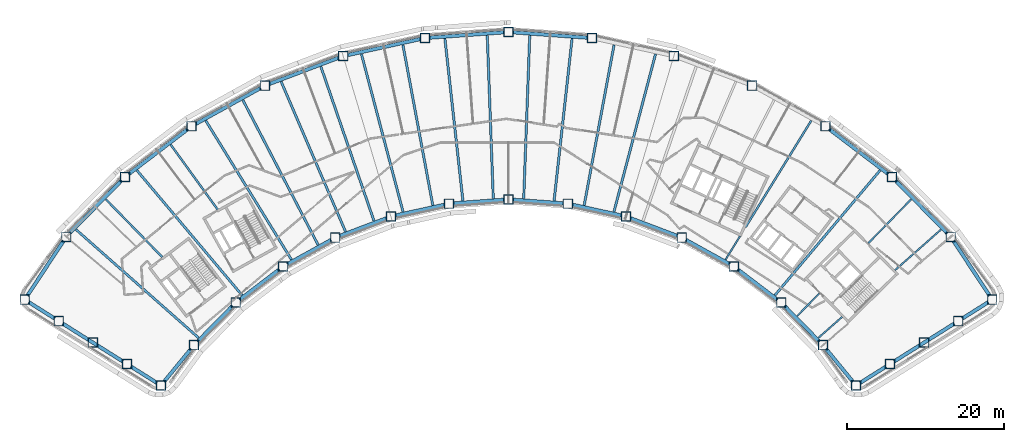
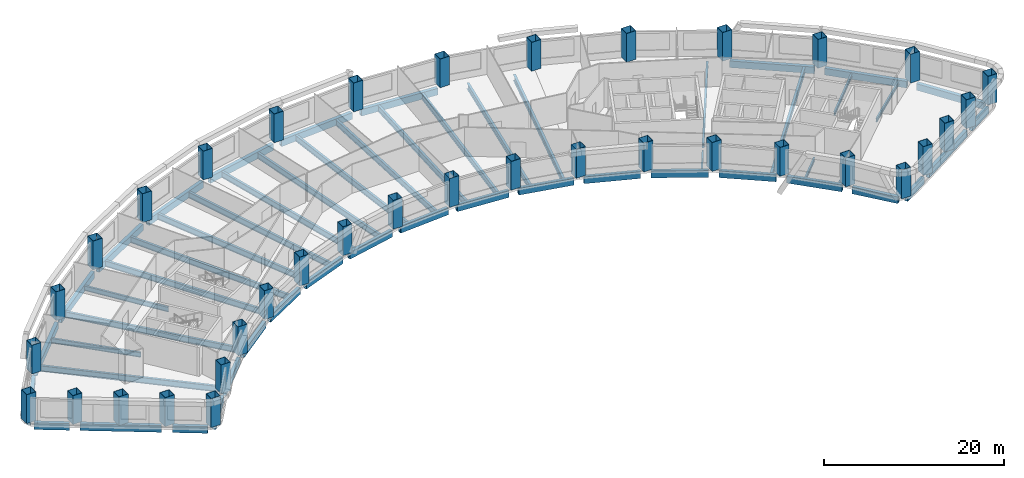
# One storey, part 1 of 11: 54 beams, 36 columns.
"""IFC4 building model written with IfcOpenShell, lengths in metres."""

import ifcopenshell
import ifcopenshell.guid

model = None  # the IFC model being written
_history = None  # IfcOwnerHistory: only IFC2X3 demands one
_inside = {}  # id of a spatial element -> (the spatial element, [elements in it])
_under = {}  # id of a project, library or spatial element -> (it, [spatial elements below it])
_declared = {}  # id of a project -> (the project, [libraries it declares])
_typed = {}  # id of a type object -> (the type object, [elements of that type])
_made_of = {}  # id of a material, layer set ... -> (it, [elements and type objects made of it])


def new_model(schema):
    """Start an empty IFC model of exactly this schema.

    Asked for "IFC4X3", IfcOpenShell would pick the latest addendum, in which some entities
    have other attributes; the version numbers below select the first issue.
    IFC2X3 requires an IfcOwnerHistory on every rooted entity: one is made here for all.
    """
    global model, _history
    if schema == "IFC4X3":
        model = ifcopenshell.file(schema_version=(4, 3, 0, 0))
    else:
        model = ifcopenshell.file(schema=schema)
    _inside.clear()
    _under.clear()
    _declared.clear()
    _typed.clear()
    _made_of.clear()
    _history = None
    if model.schema == "IFC2X3":
        org = make("IfcOrganization", Name="unknown")
        user = make(
            "IfcPersonAndOrganization",
            ThePerson=make("IfcPerson", FamilyName="unknown"),
            TheOrganization=org,
        )
        app = make(
            "IfcApplication",
            ApplicationDeveloper=org,
            Version="unknown",
            ApplicationFullName="unknown",
            ApplicationIdentifier="unknown",
        )
        _history = make(
            "IfcOwnerHistory",
            OwningUser=user,
            OwningApplication=app,
            ChangeAction="ADDED",
            CreationDate=0,
        )
    return model


def make(cls, **values):
    """One entity of the class cls with the attributes given. An attribute that is None is left unset."""
    return model.create_entity(
        cls, **{name: value for name, value in values.items() if value is not None}
    )


def rooted(cls, **values):
    """An entity with a GlobalId (a new one), such as an element, a storey or a relation."""
    return make(cls, GlobalId=ifcopenshell.guid.new(), OwnerHistory=_history, **values)


def si_unit(unit_type, name, prefix=None):
    """IfcSIUnit, for example si_unit("LENGTHUNIT", "METRE", prefix="MILLI")."""
    return make("IfcSIUnit", UnitType=unit_type, Prefix=prefix, Name=name)


def assignment(units):
    """IfcUnitAssignment: the units of a project."""
    return None if units is None else make("IfcUnitAssignment", Units=units)


def point(xyz):
    """IfcCartesianPoint."""
    return None if xyz is None else make("IfcCartesianPoint", Coordinates=xyz)


def direction(xyz):
    """IfcDirection."""
    return None if xyz is None else make("IfcDirection", DirectionRatios=xyz)


def frame(location, z_axis=None, x_axis=None):
    """IfcAxis2Placement3D, a coordinate frame: its origin and axes. An axis left out is left unset."""
    return make(
        "IfcAxis2Placement3D",
        Location=point(location),
        Axis=direction(z_axis),
        RefDirection=direction(x_axis),
    )


def frame_2d(location, x_axis=None):
    """IfcAxis2Placement2D, a coordinate frame in the plane: its origin and x axis."""
    return make(
        "IfcAxis2Placement2D", Location=point(location), RefDirection=direction(x_axis)
    )


def origin():
    """The frame at (0, 0, 0) with its axes left unset."""
    return frame((0.0, 0.0, 0.0))


def origin_2d():
    """The frame at (0, 0) in the plane with its x axis left unset."""
    return frame_2d((0.0, 0.0))


def place(relative_to, where):
    """IfcLocalPlacement: puts the frame where relative to a parent placement (None: the world)."""
    return make(
        "IfcLocalPlacement", PlacementRelTo=relative_to, RelativePlacement=where
    )


def context(
    kind, dimensions, precision=None, world=None, true_north=None, identifier=None
):
    """IfcGeometricRepresentationContext, for example the 3D "Model" context."""
    return make(
        "IfcGeometricRepresentationContext",
        ContextIdentifier=identifier,
        ContextType=kind,
        CoordinateSpaceDimension=dimensions,
        Precision=precision,
        WorldCoordinateSystem=world,
        TrueNorth=true_north,
    )


def subcontext(parent, identifier, kind, view, scale=None):
    """IfcGeometricRepresentationSubContext, for example "Body" below "Model"."""
    return make(
        "IfcGeometricRepresentationSubContext",
        ContextIdentifier=identifier,
        ContextType=kind,
        ParentContext=parent,
        TargetScale=scale,
        TargetView=view,
    )


def project(units=None, contexts=None):
    """IfcProject with its units and contexts."""
    return rooted(
        "IfcProject",
        Name="project",
        RepresentationContexts=contexts,
        UnitsInContext=assignment(units),
    )


def spatial(cls, under=None, at=None, **own):
    """A site, building, storey or space (cls), placed at a placement, below another one or the project."""
    s = rooted(cls, ObjectPlacement=at, **own)
    if under is not None:
        _under.setdefault(under.id(), (under, []))[1].append(s)
    return s


def profile(cls, at=None, kind="AREA", **sizes):
    """A parametric profile (cls). Its sizes go by their IFC names, for example OverallWidth=200.0."""
    return make(cls, ProfileType=kind, Position=at, **sizes)


def hollow_rectangle(**sizes):
    """IfcRectangleHollowProfileDef."""
    return profile("IfcRectangleHollowProfileDef", **sizes)


def i_section(**sizes):
    """IfcIShapeProfileDef."""
    return profile("IfcIShapeProfileDef", **sizes)


def extrude(swept, where, along, depth):
    """IfcExtrudedAreaSolid: the profile swept, set in the frame where, extruded along a direction by depth."""
    return make(
        "IfcExtrudedAreaSolid",
        SweptArea=swept,
        Position=where,
        ExtrudedDirection=direction(along),
        Depth=depth,
    )


def shape(context_of_items, identifier, shape_type, items):
    """IfcShapeRepresentation: the items that make up one representation, for example the "Body"."""
    return make(
        "IfcShapeRepresentation",
        ContextOfItems=context_of_items,
        RepresentationIdentifier=identifier,
        RepresentationType=shape_type,
        Items=items,
    )


def material(Name=None, Category=None):
    """IfcMaterial."""
    return make("IfcMaterial", Name=Name, Category=Category)


def material_profile(
    of_material, cross_section, Name=None, Category=None, Priority=None
):
    """IfcMaterialProfile: a cross section and its material."""
    return make(
        "IfcMaterialProfile",
        Name=Name,
        Material=of_material,
        Profile=cross_section,
        Priority=Priority,
        Category=Category,
    )


def profile_set(profiles, Name=None, composite=None):
    """IfcMaterialProfileSet."""
    return make(
        "IfcMaterialProfileSet",
        Name=Name,
        MaterialProfiles=profiles,
        CompositeProfile=composite,
    )


def made_of(thing, what):
    """Note that an element or type object is made of a material, layer set ...; save() writes the relation."""
    if what is not None:
        _made_of.setdefault(what.id(), (what, []))[1].append(thing)
    return thing


def type_object(cls, material=None, **own):
    """A type object (cls), such as IfcWallType, which elements share."""
    return made_of(rooted(cls, **own), material)


def element(
    cls,
    number,
    at=None,
    inside=None,
    cuts=None,
    type_object=None,
    material=None,
    context=None,
    identifier="Body",
    shape_type=None,
    held_by="IfcProductDefinitionShape",
    body=None,
    shapes=None,
    **own,
):
    """One element of the class cls, such as IfcWall. Its Tag is "e" and its number.

    at: its placement. inside: the storey or other place that contains it. cuts: it is an
    opening in that element (IfcRelVoidsElement). A single representation is given by context,
    identifier, shape_type and body (its items); several are given by shapes. held_by: the class
    of the entity that holds the representations. save() writes the other relations.
    """
    e = rooted(cls, Tag="e%d" % number, ObjectPlacement=at, **own)
    if body is not None:
        shapes = [shape(context, identifier, shape_type, body)]
    if shapes is not None:
        e.Representation = make(held_by, Representations=shapes)
    if inside is not None:
        _inside.setdefault(inside.id(), (inside, []))[1].append(e)
    if cuts is not None:
        rooted(
            "IfcRelVoidsElement", RelatingBuildingElement=cuts, RelatedOpeningElement=e
        )
    if type_object is not None:
        _typed.setdefault(type_object.id(), (type_object, []))[1].append(e)
    return made_of(e, material)


def aggregate(whole, parts):
    """IfcRelAggregates: a whole, such as a stair, and the parts it consists of."""
    return rooted("IfcRelAggregates", RelatingObject=whole, RelatedObjects=parts)


def save(model, path):
    """Write the relations noted so far, then the file.

    IfcRelAggregates (storeys below a building ...), IfcRelContainedInSpatialStructure (elements
    in a storey), IfcRelDefinesByType, IfcRelAssociatesMaterial and IfcRelDeclares: one each for
    every whole, place, type object, material and project.
    """
    for whole, parts in _under.values():
        aggregate(whole, parts)
    for where, things in _inside.values():
        rooted(
            "IfcRelContainedInSpatialStructure",
            RelatedElements=things,
            RelatingStructure=where,
        )
    for kind, things in _typed.values():
        rooted("IfcRelDefinesByType", RelatedObjects=things, RelatingType=kind)
    for what, things in _made_of.values():
        rooted("IfcRelAssociatesMaterial", RelatedObjects=things, RelatingMaterial=what)
    for by, libraries in _declared.values():
        rooted("IfcRelDeclares", RelatingContext=by, RelatedDefinitions=libraries)
    model.write(path)


model = new_model("IFC4")

# Units and contexts
model_context = context("Model", 3, precision=1e-05, world=origin(), true_north=direction((0.0, 1.0)))
body_context = subcontext(model_context, "Body", "Model", "MODEL_VIEW")
ifc_project = project(units=[si_unit("LENGTHUNIT", "METRE"), si_unit("AREAUNIT", "SQUARE_METRE"), si_unit("VOLUMEUNIT", "CUBIC_METRE"), si_unit("PLANEANGLEUNIT", "RADIAN"), si_unit("MASSUNIT", "GRAM", prefix="KILO")], contexts=[model_context])

# Site, building, storey
site_placement = place(None, origin())
site = spatial("IfcSite", under=ifc_project, at=site_placement, CompositionType="ELEMENT")
building_placement = place(site_placement, origin())
building = spatial("IfcBuilding", under=site, at=building_placement, Name="Tuul Gate Civic Tower", CompositionType="ELEMENT")
storey_placement = place(building_placement, frame((0.0, 0.0, 69.60009765625)))
storey = spatial("IfcBuildingStorey", under=building, at=storey_placement, Name="Level 15", CompositionType="ELEMENT", Elevation=69.60009765625)

# Columns
ifc_material_1 = material(Name="Steel S355", Category="steel")
ifc_material_profile_1 = material_profile(ifc_material_1, hollow_rectangle(XDim=1.199951171875, YDim=1.199951171875, WallThickness=0.0400390625, at=origin_2d()), Name="BOX1200x1200x40")
ifc_profile_set_1 = profile_set([ifc_material_profile_1], Name="Steel S355")
column_type = type_object("IfcColumnType", Name="STR-COLUMN-BOX1200x1200x40", PredefinedType="COLUMN", material=ifc_profile_set_1)
for number, where, z_axis, x_axis, name in (
    (1, (66.47900390625, -15.4208984375, 0.0), (0.0, 0.0, 1.0), (1.0, 0.0, 0.0), "Column"),
    (2, (61.179931640625, -7.408935546875, 0.0), (0.0, 0.0, 1.0), (1.0, 0.0, 0.0), "Column"),
    (3, (53.7060546875, 0.216064453125, 0.0), (0.0, 0.0, 1.0), (1.0, 0.0, 0.0), "Column"),
    (4, (45.2109375, 6.68408203125, 0.0), (0.0, 0.0, 1.0), (1.0, 0.0, 0.0), "Column"),
    (5, (35.8720703125, 11.861083984375, 0.0), (0.0, 0.0, 1.0), (1.0, 0.0, 0.0), "Column"),
    (6, (25.885009765625, 15.636962890625, 0.0), (0.0, 0.0, 1.0), (1.0, 0.0, 0.0), "Column"),
    (7, (15.4580078125, 17.93505859375, 0.0), (0.0, 0.0, 1.0), (1.0, 0.0, 0.0), "Column"),
    (8, (4.80810546875, 18.70703125, 0.0), (0.0, 0.0, 1.0), (1.0, 0.0, 0.0), "Column"),
    (9, (-5.841064453125, 17.93505859375, 0.0), (0.0, 0.0, 1.0), (1.0, 0.0, 0.0), "Column"),
    (10, (-16.26806640625, 15.636962890625, 0.0), (0.0, 0.0, 1.0), (1.0, 0.0, 0.0), "Column"),
    (11, (-26.2548828125, 11.861083984375, 0.0), (0.0, 0.0, 1.0), (1.0, 0.0, 0.0), "Column"),
    (12, (-35.593994140625, 6.68408203125, 0.0), (0.0, 0.0, 1.0), (1.0, 0.0, 0.0), "Column"),
    (13, (-44.089111328125, 0.216064453125, 0.0), (0.0, 0.0, 1.0), (1.0, 0.0, 0.0), "Column"),
    (14, (-51.56396484375, -7.408935546875, 0.0), (0.0, 0.0, 1.0), (1.0, 0.0, 0.0), "Column"),
    (15, (-56.863037109375, -15.4208984375, 0.0), (0.0, 0.0, 1.0), (1.0, 0.0, 0.0), "Column"),
    (16, (-52.52001953125, -18.156005859375, 0.0), (0.0, 0.0, 1.0), (1.0, 0.0, 0.0), "Column"),
    (17, (-48.177978515625, -20.89111328125, 0.0), (0.0, 0.0, 1.0), (1.0, 0.0, 0.0), "Column"),
    (18, (-43.8349609375, -23.625, 0.0), (0.0, 0.0, 1.0), (1.0, 0.0, 0.0), "Column"),
    (19, (-39.492919921875, -26.360107421875, 0.0), (0.0, 0.0, 1.0), (1.0, 0.0, 0.0), "Column"),
    (20, (-35.27294921875, -21.218017578125, 0.0), (0.0, 0.0, 1.0), (1.0, 0.0, 0.0), "Column"),
    (21, (-29.9580078125, -15.7958984375, 0.0), (0.0, 0.0, 1.0), (1.0, 0.0, 0.0), "Column"),
    (22, (-23.91796875, -11.197021484375, 0.0), (0.0, 0.0, 1.0), (1.0, 0.0, 0.0), "Column"),
    (23, (-17.278076171875, -7.51708984375, 0.0), (0.0, 0.0, 1.0), (1.0, 0.0, 0.0), "Column"),
    (24, (-10.177001953125, -4.8310546875, 0.0), (0.0, 0.0, 1.0), (1.0, 0.0, 0.0), "Column"),
    (25, (-2.763916015625, -3.197998046875, 0.0), (0.0, 0.0, 1.0), (1.0, 0.0, 0.0), "Column"),
    (26, (4.80810546875, -2.64892578125, 0.0), (0.0, 0.0, 1.0), (1.0, 0.0, 0.0), "Column"),
    (27, (12.3798828125, -3.197998046875, 0.0), (0.0, 0.0, 1.0), (1.0, 0.0, 0.0), "Column"),
    (28, (19.7939453125, -4.8310546875, 0.0), (0.0, 0.0, 1.0), (1.0, 0.0, 0.0), "Column"),
    (29, (26.89501953125, -7.51708984375, 0.0), (0.0, 0.0, 1.0), (1.0, 0.0, 0.0), "Column"),
    (30, (33.534912109375, -11.197021484375, 0.0), (0.0, 0.0, 1.0), (1.0, 0.0, 0.0), "Column"),
    (31, (39.574951171875, -15.7958984375, 0.0), (0.0, 0.0, 1.0), (1.0, 0.0, 0.0), "Column"),
    (32, (44.888916015625, -21.218017578125, 0.0), (0.0, 0.0, 1.0), (1.0, 0.0, 0.0), "Column"),
    (33, (49.10888671875, -26.360107421875, 0.0), (0.0, 0.0, 1.0), (1.0, 0.0, 0.0), "Column"),
    (34, (53.451904296875, -23.625, 0.0), (0.0, 0.0, 1.0), (1.0, 0.0, 0.0), "Column"),
    (35, (57.7939453125, -20.89111328125, 0.0), (0.0, 0.0, 1.0), (1.0, 0.0, 0.0), "Column"),
    (36, (62.136962890625, -18.156005859375, 0.0), (0.0, 0.0, 1.0), (1.0, 0.0, 0.0), "Column"),
):
    element("IfcColumn", number, at=place(storey_placement, frame(where, z_axis=z_axis, x_axis=x_axis)), inside=storey, type_object=column_type, Name=name, PredefinedType="COLUMN", context=body_context, shape_type="SweptSolid", body=[
        extrude(hollow_rectangle(XDim=1.199951171875, YDim=1.199951171875, WallThickness=0.0400390625, at=origin_2d()), origin(), (0.0, 0.0, 1.0), 3.89990234375),
    ])

# Beams
ifc_material_2 = material(Name="Steel S355", Category="steel")
ifc_material_profile_2 = material_profile(ifc_material_2, i_section(OverallWidth=0.199951171875, OverallDepth=0.5, WebThickness=0.010009765625, FlangeThickness=0.01611328125, at=origin_2d()), Name="PG500x200x10x16")
ifc_profile_set_2 = profile_set([ifc_material_profile_2], Name="Steel S355")
beam_type_1 = type_object("IfcBeamType", Name="STR-FLOOR BEAM-PG500x200x10x16", PredefinedType="BEAM", material=ifc_profile_set_2)
beam_1_placement = place(storey_placement, frame((44.323486328125, -20.28369140625, -0.550048828125), z_axis=(0.749461130255, 0.662048347356, 0.0), x_axis=(-0.662048347356, 0.749461130255, 0.0)))
element("IfcBeam", 37, at=beam_1_placement, inside=storey, type_object=beam_type_1, Name="Floor beam", PredefinedType="BEAM", context=body_context, shape_type="SweptSolid", body=[
    extrude(i_section(OverallWidth=0.199951171875, OverallDepth=0.5, WebThickness=0.010009765625, FlangeThickness=0.01611328125, at=origin_2d()), origin(), (0.0, 0.0, 1.0), 4.0107421875),
])
beam_2_placement = place(storey_placement, frame((54.083251953125, -11.661865234375, -0.550048828125), z_axis=(0.749435188798, 0.662077712803, 0.0), x_axis=(-0.662077712803, 0.749435188798, 0.0)))
element("IfcBeam", 38, at=beam_2_placement, inside=storey, type_object=beam_type_1, Name="Floor beam", PredefinedType="BEAM", context=body_context, shape_type="SweptSolid", body=[
    extrude(i_section(OverallWidth=0.199951171875, OverallDepth=0.5, WebThickness=0.010009765625, FlangeThickness=0.01611328125, at=origin_2d()), origin(), (0.0, 0.0, 1.0), 7.8056640625),
])
beam_3_placement = place(storey_placement, frame((41.606201171875, -17.511474609375, -0.550048828125), z_axis=(0.698677872804, 0.71543639134, 0.0), x_axis=(-0.71543639134, 0.698677872804, 0.0)))
element("IfcBeam", 39, at=beam_3_placement, inside=storey, type_object=beam_type_1, Name="Floor beam", PredefinedType="BEAM", context=body_context, shape_type="SweptSolid", body=[
    extrude(i_section(OverallWidth=0.199951171875, OverallDepth=0.5, WebThickness=0.010009765625, FlangeThickness=0.01611328125, at=origin_2d()), origin(), (0.0, 0.0, 1.0), 4.00634765625),
])
beam_4_placement = place(storey_placement, frame((50.69482421875, -8.205078125, -0.550048828125), z_axis=(0.698665360958, 0.715448609893, 0.0), x_axis=(-0.715448609893, 0.698665360958, 0.0)))
element("IfcBeam", 40, at=beam_4_placement, inside=storey, type_object=beam_type_1, Name="Floor beam", PredefinedType="BEAM", context=body_context, shape_type="SweptSolid", body=[
    extrude(i_section(OverallWidth=0.199951171875, OverallDepth=0.5, WebThickness=0.010009765625, FlangeThickness=0.01611328125, at=origin_2d()), origin(), (0.0, 0.0, 1.0), 7.797119140625),
])
beam_5_placement = place(storey_placement, frame((32.47412109375, -10.3232421875, -0.550048828125), z_axis=(0.524881180779, 0.851175508379, 0.0), x_axis=(-0.851175508379, 0.524881180779, 0.0)))
element("IfcBeam", 41, at=beam_5_placement, inside=storey, type_object=beam_type_1, Name="Floor beam", PredefinedType="BEAM", context=body_context, shape_type="SweptSolid", body=[
    extrude(i_section(OverallWidth=0.199951171875, OverallDepth=0.5, WebThickness=0.010009765625, FlangeThickness=0.01611328125, at=origin_2d()), origin(), (0.0, 0.0, 1.0), 3.527099609375),
])
ifc_material_3 = material(Name="Steel S355", Category="steel")
ifc_material_profile_3 = material_profile(ifc_material_3, i_section(OverallWidth=0.25, OverallDepth=0.64990234375, WebThickness=0.011962890625, FlangeThickness=0.02001953125, at=origin_2d()), Name="PG650x250x12x20")
ifc_profile_set_3 = profile_set([ifc_material_profile_3], Name="Steel S355")
beam_type_2 = type_object("IfcBeamType", Name="STR-FLOOR BEAM-PG650x250x12x20", PredefinedType="BEAM", material=ifc_profile_set_3)
beam_6_placement = place(storey_placement, frame((35.022216796875, -6.19091796875, -0.625), z_axis=(0.52485048584, 0.851194435786, 0.0), x_axis=(-0.851194435786, 0.52485048584, 0.0)))
element("IfcBeam", 42, at=beam_6_placement, inside=storey, type_object=beam_type_2, Name="Floor beam", PredefinedType="BEAM", context=body_context, shape_type="SweptSolid", body=[
    extrude(i_section(OverallWidth=0.25, OverallDepth=0.64990234375, WebThickness=0.011962890625, FlangeThickness=0.02001953125, at=origin_2d()), origin(), (0.0, 0.0, 1.0), 15.967529296875),
])
beam_7_placement = place(storey_placement, frame((-32.2705078125, -3.930419921875, -0.625), z_axis=(-0.586085724812, 0.81024905009, 0.0), x_axis=(-0.81024905009, -0.586085724812, 0.0)))
element("IfcBeam", 43, at=beam_7_placement, inside=storey, type_object=beam_type_2, Name="Floor beam", PredefinedType="BEAM", context=body_context, shape_type="SweptSolid", body=[
    extrude(i_section(OverallWidth=0.25, OverallDepth=0.64990234375, WebThickness=0.011962890625, FlangeThickness=0.02001953125, at=origin_2d()), origin(), (0.0, 0.0, 1.0), 10.211669921875),
])
beam_8_placement = place(storey_placement, frame((-39.3271484375, -9.998291015625, -0.625), z_axis=(-0.698680863585, 0.715433470604, 0.0), x_axis=(-0.715433470604, -0.698680863585, 0.0)))
element("IfcBeam", 44, at=beam_8_placement, inside=storey, type_object=beam_type_2, Name="Floor beam", PredefinedType="BEAM", context=body_context, shape_type="SweptSolid", body=[
    extrude(i_section(OverallWidth=0.25, OverallDepth=0.64990234375, WebThickness=0.011962890625, FlangeThickness=0.02001953125, at=origin_2d()), origin(), (0.0, 0.0, 1.0), 10.30322265625),
])
ifc_material_4 = material(Name="Steel S355", Category="steel")
ifc_material_profile_4 = material_profile(ifc_material_4, i_section(OverallWidth=0.300048828125, OverallDepth=0.800048828125, WebThickness=0.013916015625, FlangeThickness=0.02490234375, at=origin_2d()), Name="PG800x300x14x25")
ifc_profile_set_4 = profile_set([ifc_material_profile_4], Name="Steel S355")
beam_type_3 = type_object("IfcBeamType", Name="STR-FLOOR BEAM-PG800x300x14x25", PredefinedType="BEAM", material=ifc_profile_set_4)
beam_9_placement = place(storey_placement, frame((38.76611328125, -14.86572265625, -0.7001953125), z_axis=(0.644123110179, 0.764921838447, 0.0), x_axis=(-0.764921838447, 0.644123110179, 0.0)))
element("IfcBeam", 45, at=beam_9_placement, inside=storey, type_object=beam_type_3, Name="Floor beam", PredefinedType="BEAM", context=body_context, shape_type="SweptSolid", body=[
    extrude(i_section(OverallWidth=0.300048828125, OverallDepth=0.800048828125, WebThickness=0.013916015625, FlangeThickness=0.02490234375, at=origin_2d()), origin(), (0.0, 0.0, 1.0), 20.824951171875),
])
beam_10_placement = place(storey_placement, frame((18.246826171875, -4.234130859375, -0.7001953125), z_axis=(0.255002430405, 0.966940412067, 0.0), x_axis=(-0.966940412067, 0.255002430405, 0.0)))
element("IfcBeam", 46, at=beam_10_placement, inside=storey, type_object=beam_type_3, Name="Floor beam", PredefinedType="BEAM", context=body_context, shape_type="SweptSolid", body=[
    extrude(i_section(OverallWidth=0.300048828125, OverallDepth=0.800048828125, WebThickness=0.013916015625, FlangeThickness=0.02490234375, at=origin_2d()), origin(), (0.0, 0.0, 1.0), 20.81689453125),
])
beam_11_placement = place(storey_placement, frame((14.45654296875, -3.3994140625, -0.7001953125), z_axis=(0.1831360046, 0.983087587054, 0.0), x_axis=(-0.983087587054, 0.1831360046, 0.0)))
element("IfcBeam", 47, at=beam_11_placement, inside=storey, type_object=beam_type_3, Name="Floor beam", PredefinedType="BEAM", context=body_context, shape_type="SweptSolid", body=[
    extrude(i_section(OverallWidth=0.300048828125, OverallDepth=0.800048828125, WebThickness=0.013916015625, FlangeThickness=0.02490234375, at=origin_2d()), origin(), (0.0, 0.0, 1.0), 20.811279296875),
])
beam_12_placement = place(storey_placement, frame((10.619384765625, -2.819580078125, -0.7001953125), z_axis=(0.1102757583, 0.993901029847, 0.0), x_axis=(-0.993901029847, 0.1102757583, 0.0)))
element("IfcBeam", 48, at=beam_12_placement, inside=storey, type_object=beam_type_3, Name="Floor beam", PredefinedType="BEAM", context=body_context, shape_type="SweptSolid", body=[
    extrude(i_section(OverallWidth=0.300048828125, OverallDepth=0.800048828125, WebThickness=0.013916015625, FlangeThickness=0.02490234375, at=origin_2d()), origin(), (0.0, 0.0, 1.0), 20.815185546875),
])
for number, where, z_axis, x_axis, name in (
    (49, (6.74853515625, -2.5390625, -0.7001953125), (0.036832478792, 0.999321454041, 0.0), (-0.999321454041, 0.036832478792, 0.0), "Floor beam"),
    (50, (2.867919921875, -2.5390625, -0.7001953125), (-0.036832478792, 0.999321454041, 0.0), (-0.999321454041, -0.036832478792, 0.0), "Floor beam"),
):
    element("IfcBeam", number, at=place(storey_placement, frame(where, z_axis=z_axis, x_axis=x_axis)), inside=storey, type_object=beam_type_3, Name=name, PredefinedType="BEAM", context=body_context, shape_type="SweptSolid", body=[
        extrude(i_section(OverallWidth=0.300048828125, OverallDepth=0.800048828125, WebThickness=0.013916015625, FlangeThickness=0.02490234375, at=origin_2d()), origin(), (0.0, 0.0, 1.0), 20.813232421875),
    ])
beam_13_placement = place(storey_placement, frame((-1.0029296875, -2.819580078125, -0.7001953125), z_axis=(-0.110287344613, 0.993899744249, 0.0), x_axis=(-0.993899744249, -0.110287344613, 0.0)))
element("IfcBeam", 51, at=beam_13_placement, inside=storey, type_object=beam_type_3, Name="Floor beam", PredefinedType="BEAM", context=body_context, shape_type="SweptSolid", body=[
    extrude(i_section(OverallWidth=0.300048828125, OverallDepth=0.800048828125, WebThickness=0.013916015625, FlangeThickness=0.02490234375, at=origin_2d()), origin(), (0.0, 0.0, 1.0), 20.815185546875),
])
beam_14_placement = place(storey_placement, frame((-4.84033203125, -3.3994140625, -0.7001953125), z_axis=(-0.183138116697, 0.983087193596, 0.0), x_axis=(-0.983087193596, -0.183138116697, 0.0)))
element("IfcBeam", 52, at=beam_14_placement, inside=storey, type_object=beam_type_3, Name="Floor beam", PredefinedType="BEAM", context=body_context, shape_type="SweptSolid", body=[
    extrude(i_section(OverallWidth=0.300048828125, OverallDepth=0.800048828125, WebThickness=0.013916015625, FlangeThickness=0.02490234375, at=origin_2d()), origin(), (0.0, 0.0, 1.0), 20.81103515625),
])
beam_15_placement = place(storey_placement, frame((-8.63037109375, -4.234375, -0.7001953125), z_axis=(-0.255002430405, 0.966940412067, 0.0), x_axis=(-0.966940412067, -0.255002430405, 0.0)))
element("IfcBeam", 53, at=beam_15_placement, inside=storey, type_object=beam_type_3, Name="Floor beam", PredefinedType="BEAM", context=body_context, shape_type="SweptSolid", body=[
    extrude(i_section(OverallWidth=0.300048828125, OverallDepth=0.800048828125, WebThickness=0.013916015625, FlangeThickness=0.02490234375, at=origin_2d()), origin(), (0.0, 0.0, 1.0), 20.81689453125),
])
beam_16_placement = place(storey_placement, frame((-12.337890625, -5.381103515625, -0.7001953125), z_axis=(-0.325490585261, 0.945545281257, 0.0), x_axis=(-0.945545281257, -0.325490585261, 0.0)))
element("IfcBeam", 54, at=beam_16_placement, inside=storey, type_object=beam_type_3, Name="Floor beam", PredefinedType="BEAM", context=body_context, shape_type="SweptSolid", body=[
    extrude(i_section(OverallWidth=0.300048828125, OverallDepth=0.800048828125, WebThickness=0.013916015625, FlangeThickness=0.02490234375, at=origin_2d()), origin(), (0.0, 0.0, 1.0), 20.80908203125),
])
beam_17_placement = place(storey_placement, frame((-15.968017578125, -6.754150390625, -0.7001953125), z_axis=(-0.39421223202, 0.919019431854, 0.0), x_axis=(-0.919019431854, -0.39421223202, 0.0)))
element("IfcBeam", 55, at=beam_17_placement, inside=storey, type_object=beam_type_3, Name="Floor beam", PredefinedType="BEAM", context=body_context, shape_type="SweptSolid", body=[
    extrude(i_section(OverallWidth=0.300048828125, OverallDepth=0.800048828125, WebThickness=0.013916015625, FlangeThickness=0.02490234375, at=origin_2d()), origin(), (0.0, 0.0, 1.0), 20.820068359375),
])
beam_18_placement = place(storey_placement, frame((-19.462890625, -8.442138671875, -0.7001953125), z_axis=(-0.460776704907, 0.887516100257, 0.0), x_axis=(-0.887516100257, -0.460776704907, 0.0)))
element("IfcBeam", 56, at=beam_18_placement, inside=storey, type_object=beam_type_3, Name="Floor beam", PredefinedType="BEAM", context=body_context, shape_type="SweptSolid", body=[
    extrude(i_section(OverallWidth=0.300048828125, OverallDepth=0.800048828125, WebThickness=0.013916015625, FlangeThickness=0.02490234375, at=origin_2d()), origin(), (0.0, 0.0, 1.0), 20.80810546875),
])
beam_19_placement = place(storey_placement, frame((-22.857666015625, -10.323486328125, -0.7001953125), z_axis=(-0.524858688135, 0.851189378158, 0.0), x_axis=(-0.851189378158, -0.524858688135, 0.0)))
element("IfcBeam", 57, at=beam_19_placement, inside=storey, type_object=beam_type_3, Name="Floor beam", PredefinedType="BEAM", context=body_context, shape_type="SweptSolid", body=[
    extrude(i_section(OverallWidth=0.300048828125, OverallDepth=0.800048828125, WebThickness=0.013916015625, FlangeThickness=0.02490234375, at=origin_2d()), origin(), (0.0, 0.0, 1.0), 20.822265625),
])
beam_20_placement = place(storey_placement, frame((-29.1494140625, -14.8662109375, -0.7001953125), z_axis=(-0.644129969572, 0.764916062257, 0.0), x_axis=(-0.764916062257, -0.644129969572, 0.0)))
element("IfcBeam", 58, at=beam_20_placement, inside=storey, type_object=beam_type_3, Name="Floor beam", PredefinedType="BEAM", context=body_context, shape_type="SweptSolid", body=[
    extrude(i_section(OverallWidth=0.300048828125, OverallDepth=0.800048828125, WebThickness=0.013916015625, FlangeThickness=0.02490234375, at=origin_2d()), origin(), (0.0, 0.0, 1.0), 20.8251953125),
])
beam_21_placement = place(storey_placement, frame((-34.707275390625, -20.28369140625, -0.7001953125), z_axis=(-0.749442289346, 0.662069675291, 0.0), x_axis=(-0.662069675291, -0.749442289346, 0.0)))
element("IfcBeam", 59, at=beam_21_placement, inside=storey, type_object=beam_type_3, Name="Floor beam", PredefinedType="BEAM", context=body_context, shape_type="SweptSolid", body=[
    extrude(i_section(OverallWidth=0.300048828125, OverallDepth=0.800048828125, WebThickness=0.013916015625, FlangeThickness=0.02490234375, at=origin_2d()), origin(), (0.0, 0.0, 1.0), 20.828369140625),
])
ifc_material_5 = material(Name="Steel S355", Category="steel")
ifc_material_profile_5 = material_profile(ifc_material_5, hollow_rectangle(XDim=0.449951171875, YDim=0.89990234375, WallThickness=0.02490234375, at=origin_2d()), Name="BOX900x450x25")
ifc_profile_set_5 = profile_set([ifc_material_profile_5], Name="Steel S355")
beam_type_4 = type_object("IfcBeamType", Name="STR-SPANDREL BEAM-BOX900x450x25", PredefinedType="BEAM", material=ifc_profile_set_5)
beam_22_placement = place(storey_placement, frame((66.14794921875, -14.920654296875, -0.75), z_axis=(-0.551633408665, 0.834086675619, 0.0), x_axis=(-0.834086675619, -0.551633408665, 0.0)))
element("IfcBeam", 60, at=beam_22_placement, inside=storey, type_object=beam_type_4, Name="Spandrel beam", PredefinedType="BEAM", context=body_context, shape_type="SweptSolid", body=[
    extrude(hollow_rectangle(XDim=0.449951171875, YDim=0.89990234375, WallThickness=0.02490234375, at=origin_2d()), origin(), (0.0, 0.0, 1.0), 8.40576171875),
])
beam_23_placement = place(storey_placement, frame((60.760009765625, -6.98046875, -0.75), z_axis=(-0.700000063817, 0.714142780301, 0.0), x_axis=(-0.714142780301, -0.700000063817, 0.0)))
element("IfcBeam", 61, at=beam_23_placement, inside=storey, type_object=beam_type_4, Name="Spandrel beam", PredefinedType="BEAM", context=body_context, shape_type="SweptSolid", body=[
    extrude(hollow_rectangle(XDim=0.449951171875, YDim=0.89990234375, WallThickness=0.02490234375, at=origin_2d()), origin(), (0.0, 0.0, 1.0), 9.477294921875),
])
beam_24_placement = place(storey_placement, frame((53.228515625, 0.57958984375, -0.75), z_axis=(-0.795626241327, 0.605787821033, 0.0), x_axis=(-0.605787821033, -0.795626241327, 0.0)))
element("IfcBeam", 62, at=beam_24_placement, inside=storey, type_object=beam_type_4, Name="Spandrel beam", PredefinedType="BEAM", context=body_context, shape_type="SweptSolid", body=[
    extrude(hollow_rectangle(XDim=0.449951171875, YDim=0.89990234375, WallThickness=0.02490234375, at=origin_2d()), origin(), (0.0, 0.0, 1.0), 9.476806640625),
])
beam_25_placement = place(storey_placement, frame((14.859619140625, 17.978271484375, -0.75), z_axis=(-0.997382561925, 0.07230508397, 0.0), x_axis=(-0.07230508397, -0.997382561925, 0.0)))
element("IfcBeam", 63, at=beam_25_placement, inside=storey, type_object=beam_type_4, Name="Spandrel beam", PredefinedType="BEAM", context=body_context, shape_type="SweptSolid", body=[
    extrude(hollow_rectangle(XDim=0.449951171875, YDim=0.89990234375, WallThickness=0.02490234375, at=origin_2d()), origin(), (0.0, 0.0, 1.0), 9.47802734375),
])
beam_26_placement = place(storey_placement, frame((4.20947265625, 18.66357421875, -0.75), z_axis=(-0.99738202317, -0.072312515214, 0.0), x_axis=(0.072312515214, -0.99738202317, 0.0)))
element("IfcBeam", 64, at=beam_26_placement, inside=storey, type_object=beam_type_4, Name="Spandrel beam", PredefinedType="BEAM", context=body_context, shape_type="SweptSolid", body=[
    extrude(hollow_rectangle(XDim=0.449951171875, YDim=0.89990234375, WallThickness=0.02490234375, at=origin_2d()), origin(), (0.0, 0.0, 1.0), 9.47705078125),
])
beam_27_placement = place(storey_placement, frame((-6.427001953125, 17.805908203125, -0.75), z_axis=(-0.97656320303, -0.215230830708, 0.0), x_axis=(0.215230830708, -0.97656320303, 0.0)))
element("IfcBeam", 65, at=beam_27_placement, inside=storey, type_object=beam_type_4, Name="Spandrel beam", PredefinedType="BEAM", context=body_context, shape_type="SweptSolid", body=[
    extrude(hollow_rectangle(XDim=0.449951171875, YDim=0.89990234375, WallThickness=0.02490234375, at=origin_2d()), origin(), (0.0, 0.0, 1.0), 9.477294921875),
])
beam_28_placement = place(storey_placement, frame((-16.829345703125, 15.4248046875, -0.75), z_axis=(-0.935376104649, -0.353654552993, 0.0), x_axis=(0.353654552993, -0.935376104649, 0.0)))
element("IfcBeam", 66, at=beam_28_placement, inside=storey, type_object=beam_type_4, Name="Spandrel beam", PredefinedType="BEAM", context=body_context, shape_type="SweptSolid", body=[
    extrude(hollow_rectangle(XDim=0.449951171875, YDim=0.89990234375, WallThickness=0.02490234375, at=origin_2d()), origin(), (0.0, 0.0, 1.0), 9.47705078125),
])
beam_29_placement = place(storey_placement, frame((-26.77978515625, 11.570068359375, -0.75), z_axis=(-0.874608888761, -0.484829136604, 0.0), x_axis=(0.484829136604, -0.874608888761, 0.0)))
element("IfcBeam", 67, at=beam_29_placement, inside=storey, type_object=beam_type_4, Name="Spandrel beam", PredefinedType="BEAM", context=body_context, shape_type="SweptSolid", body=[
    extrude(hollow_rectangle(XDim=0.449951171875, YDim=0.89990234375, WallThickness=0.02490234375, at=origin_2d()), origin(), (0.0, 0.0, 1.0), 9.47802734375),
])
beam_30_placement = place(storey_placement, frame((-36.0712890625, 6.320556640625, -0.75), z_axis=(-0.795635695058, -0.605775404543, 0.0), x_axis=(0.605775404543, -0.795635695058, 0.0)))
element("IfcBeam", 68, at=beam_30_placement, inside=storey, type_object=beam_type_4, Name="Spandrel beam", PredefinedType="BEAM", context=body_context, shape_type="SweptSolid", body=[
    extrude(hollow_rectangle(XDim=0.449951171875, YDim=0.89990234375, WallThickness=0.02490234375, at=origin_2d()), origin(), (0.0, 0.0, 1.0), 9.47705078125),
])
beam_31_placement = place(storey_placement, frame((-44.509033203125, -0.21240234375, -0.75), z_axis=(-0.700052610293, -0.714091270653, 0.0), x_axis=(0.714091270653, -0.700052610293, 0.0)))
element("IfcBeam", 69, at=beam_31_placement, inside=storey, type_object=beam_type_4, Name="Spandrel beam", PredefinedType="BEAM", context=body_context, shape_type="SweptSolid", body=[
    extrude(hollow_rectangle(XDim=0.449951171875, YDim=0.89990234375, WallThickness=0.02490234375, at=origin_2d()), origin(), (0.0, 0.0, 1.0), 9.477783203125),
])
beam_32_placement = place(storey_placement, frame((-51.89501953125, -7.909423828125, -0.75), z_axis=(-0.551633408665, -0.834086675619, 0.0), x_axis=(0.834086675619, -0.551633408665, 0.0)))
element("IfcBeam", 70, at=beam_32_placement, inside=storey, type_object=beam_type_4, Name="Spandrel beam", PredefinedType="BEAM", context=body_context, shape_type="SweptSolid", body=[
    extrude(hollow_rectangle(XDim=0.449951171875, YDim=0.89990234375, WallThickness=0.02490234375, at=origin_2d()), origin(), (0.0, 0.0, 1.0), 8.40576171875),
])
beam_33_placement = place(storey_placement, frame((-56.355224609375, -15.74072265625, -0.75), z_axis=(0.846183069254, -0.532892309297, 0.0), x_axis=(0.532892309297, 0.846183069254, 0.0)))
element("IfcBeam", 71, at=beam_33_placement, inside=storey, type_object=beam_type_4, Name="Spandrel beam", PredefinedType="BEAM", context=body_context, shape_type="SweptSolid", body=[
    extrude(hollow_rectangle(XDim=0.449951171875, YDim=0.89990234375, WallThickness=0.02490234375, at=origin_2d()), origin(), (0.0, 0.0, 1.0), 3.93212890625),
])
beam_34_placement = place(storey_placement, frame((-52.01220703125, -18.475830078125, -0.75), z_axis=(0.846210797287, -0.532848277237, 0.0), x_axis=(0.532848277237, 0.846210797287, 0.0)))
element("IfcBeam", 72, at=beam_34_placement, inside=storey, type_object=beam_type_4, Name="Spandrel beam", PredefinedType="BEAM", context=body_context, shape_type="SweptSolid", body=[
    extrude(hollow_rectangle(XDim=0.449951171875, YDim=0.89990234375, WallThickness=0.02490234375, at=origin_2d()), origin(), (0.0, 0.0, 1.0), 9.063232421875),
])
beam_35_placement = place(storey_placement, frame((-43.327392578125, -23.94482421875, -0.75), z_axis=(0.846130163467, -0.532976309484, 0.0), x_axis=(0.532976309484, 0.846130163467, 0.0)))
element("IfcBeam", 73, at=beam_35_placement, inside=storey, type_object=beam_type_4, Name="Spandrel beam", PredefinedType="BEAM", context=body_context, shape_type="SweptSolid", body=[
    extrude(hollow_rectangle(XDim=0.449951171875, YDim=0.89990234375, WallThickness=0.02490234375, at=origin_2d()), origin(), (0.0, 0.0, 1.0), 3.931640625),
])
beam_36_placement = place(storey_placement, frame((-39.1123046875, -25.896240234375, -0.75), z_axis=(0.634405130356, 0.773000731292, 0.0), x_axis=(-0.773000731292, 0.634405130356, 0.0)))
element("IfcBeam", 74, at=beam_36_placement, inside=storey, type_object=beam_type_4, Name="Spandrel beam", PredefinedType="BEAM", context=body_context, shape_type="SweptSolid", body=[
    extrude(hollow_rectangle(XDim=0.449951171875, YDim=0.89990234375, WallThickness=0.02490234375, at=origin_2d()), origin(), (0.0, 0.0, 1.0), 5.451904296875),
])
beam_37_placement = place(storey_placement, frame((-34.85302734375, -20.78955078125, -0.75), z_axis=(0.70002559028, 0.714117758464, 0.0), x_axis=(-0.714117758464, 0.70002559028, 0.0)))
element("IfcBeam", 75, at=beam_37_placement, inside=storey, type_object=beam_type_4, Name="Spandrel beam", PredefinedType="BEAM", context=body_context, shape_type="SweptSolid", body=[
    extrude(hollow_rectangle(XDim=0.449951171875, YDim=0.89990234375, WallThickness=0.02490234375, at=origin_2d()), origin(), (0.0, 0.0, 1.0), 6.392822265625),
])
for number, where, z_axis, x_axis, name in (
    (76, (-29.480712890625, -15.4326171875, -0.75), (0.79562457822, 0.605790005308, 0.0), (-0.605790005308, 0.79562457822, 0.0), "Spandrel beam"),
    (77, (-23.393310546875, -10.90625, -0.75), (0.87465408875, 0.484747588992, 0.0), (-0.484747588992, 0.87465408875, 0.0), "Spandrel beam"),
    (78, (-16.716796875, -7.3046875, -0.75), (0.9353207628, 0.353800891286, 0.0), (-0.353800891286, 0.9353207628, 0.0), "Spandrel beam"),
):
    element("IfcBeam", number, at=place(storey_placement, frame(where, z_axis=z_axis, x_axis=x_axis)), inside=storey, type_object=beam_type_4, Name=name, PredefinedType="BEAM", context=body_context, shape_type="SweptSolid", body=[
        extrude(hollow_rectangle(XDim=0.449951171875, YDim=0.89990234375, WallThickness=0.02490234375, at=origin_2d()), origin(), (0.0, 0.0, 1.0), 6.391845703125),
    ])
beam_38_placement = place(storey_placement, frame((-9.591064453125, -4.701904296875, -0.75), z_axis=(0.976588960757, 0.215113927321, 0.0), x_axis=(-0.215113927321, 0.976588960757, 0.0)))
element("IfcBeam", 79, at=beam_38_placement, inside=storey, type_object=beam_type_4, Name="Spandrel beam", PredefinedType="BEAM", context=body_context, shape_type="SweptSolid", body=[
    extrude(hollow_rectangle(XDim=0.449951171875, YDim=0.89990234375, WallThickness=0.02490234375, at=origin_2d()), origin(), (0.0, 0.0, 1.0), 6.390869140625),
])
for number, where, z_axis, x_axis, name in (
    (80, (-2.16552734375, -3.154541015625, -0.75), (0.997382520948, 0.072305649209, 0.0), (-0.072305649209, 0.997382520948, 0.0), "Spandrel beam"),
    (81, (5.406494140625, -2.6923828125, -0.75), (0.997382520948, -0.072305649209, 0.0), (0.072305649209, 0.997382520948, 0.0), "Spandrel beam"),
):
    element("IfcBeam", number, at=place(storey_placement, frame(where, z_axis=z_axis, x_axis=x_axis)), inside=storey, type_object=beam_type_4, Name=name, PredefinedType="BEAM", context=body_context, shape_type="SweptSolid", body=[
        extrude(hollow_rectangle(XDim=0.449951171875, YDim=0.89990234375, WallThickness=0.02490234375, at=origin_2d()), origin(), (0.0, 0.0, 1.0), 6.391845703125),
    ])
beam_39_placement = place(storey_placement, frame((12.966064453125, -3.3271484375, -0.75), z_axis=(0.976594263107, -0.215089853935, 0.0), x_axis=(0.215089853935, 0.976594263107, 0.0)))
element("IfcBeam", 82, at=beam_39_placement, inside=storey, type_object=beam_type_4, Name="Spandrel beam", PredefinedType="BEAM", context=body_context, shape_type="SweptSolid", body=[
    extrude(hollow_rectangle(XDim=0.449951171875, YDim=0.89990234375, WallThickness=0.02490234375, at=origin_2d()), origin(), (0.0, 0.0, 1.0), 6.3916015625),
])
for number, where, z_axis, x_axis, name in (
    (83, (20.355224609375, -5.043212890625, -0.75), (0.9353207628, -0.353800891286, 0.0), (0.353800891286, 0.9353207628, 0.0), "Spandrel beam"),
    (84, (27.419677734375, -7.807861328125, -0.75), (0.87465408875, -0.484747588992, 0.0), (0.484747588992, 0.87465408875, 0.0), "Spandrel beam"),
):
    element("IfcBeam", number, at=place(storey_placement, frame(where, z_axis=z_axis, x_axis=x_axis)), inside=storey, type_object=beam_type_4, Name=name, PredefinedType="BEAM", context=body_context, shape_type="SweptSolid", body=[
        extrude(hollow_rectangle(XDim=0.449951171875, YDim=0.89990234375, WallThickness=0.02490234375, at=origin_2d()), origin(), (0.0, 0.0, 1.0), 6.391845703125),
    ])
beam_40_placement = place(storey_placement, frame((34.012451171875, -11.560546875, -0.75), z_axis=(0.795610560321, -0.605808415512, 0.0), x_axis=(0.605808415512, 0.795610560321, 0.0)))
element("IfcBeam", 85, at=beam_40_placement, inside=storey, type_object=beam_type_4, Name="Spandrel beam", PredefinedType="BEAM", context=body_context, shape_type="SweptSolid", body=[
    extrude(hollow_rectangle(XDim=0.449951171875, YDim=0.89990234375, WallThickness=0.02490234375, at=origin_2d()), origin(), (0.0, 0.0, 1.0), 6.3916015625),
])
beam_41_placement = place(storey_placement, frame((39.994873046875, -16.224609375, -0.75), z_axis=(0.699966768849, -0.714175414381, 0.0), x_axis=(0.714175414381, 0.699966768849, 0.0)))
element("IfcBeam", 86, at=beam_41_placement, inside=storey, type_object=beam_type_4, Name="Spandrel beam", PredefinedType="BEAM", context=body_context, shape_type="SweptSolid", body=[
    extrude(hollow_rectangle(XDim=0.449951171875, YDim=0.89990234375, WallThickness=0.02490234375, at=origin_2d()), origin(), (0.0, 0.0, 1.0), 6.391845703125),
])
beam_42_placement = place(storey_placement, frame((45.26953125, -21.681884765625, -0.75), z_axis=(0.634405130356, -0.773000731292, 0.0), x_axis=(0.773000731292, 0.634405130356, 0.0)))
element("IfcBeam", 87, at=beam_42_placement, inside=storey, type_object=beam_type_4, Name="Spandrel beam", PredefinedType="BEAM", context=body_context, shape_type="SweptSolid", body=[
    extrude(hollow_rectangle(XDim=0.449951171875, YDim=0.89990234375, WallThickness=0.02490234375, at=origin_2d()), origin(), (0.0, 0.0, 1.0), 5.451904296875),
])
beam_43_placement = place(storey_placement, frame((49.61669921875, -26.040283203125, -0.75), z_axis=(0.846200698958, 0.532864313951, 0.0), x_axis=(-0.532864313951, 0.846200698958, 0.0)))
element("IfcBeam", 88, at=beam_43_placement, inside=storey, type_object=beam_type_4, Name="Spandrel beam", PredefinedType="BEAM", context=body_context, shape_type="SweptSolid", body=[
    extrude(hollow_rectangle(XDim=0.449951171875, YDim=0.89990234375, WallThickness=0.02490234375, at=origin_2d()), origin(), (0.0, 0.0, 1.0), 3.932373046875),
])
beam_44_placement = place(storey_placement, frame((53.959716796875, -23.30517578125, -0.75), z_axis=(0.846218445282, 0.532836131343, 0.0), x_axis=(-0.532836131343, 0.846218445282, 0.0)))
element("IfcBeam", 89, at=beam_44_placement, inside=storey, type_object=beam_type_4, Name="Spandrel beam", PredefinedType="BEAM", context=body_context, shape_type="SweptSolid", body=[
    extrude(hollow_rectangle(XDim=0.449951171875, YDim=0.89990234375, WallThickness=0.02490234375, at=origin_2d()), origin(), (0.0, 0.0, 1.0), 9.0634765625),
])
beam_45_placement = place(storey_placement, frame((62.644775390625, -17.836181640625, -0.75), z_axis=(0.846130163467, 0.532976309484, 0.0), x_axis=(-0.532976309484, 0.846130163467, 0.0)))
element("IfcBeam", 90, at=beam_45_placement, inside=storey, type_object=beam_type_4, Name="Spandrel beam", PredefinedType="BEAM", context=body_context, shape_type="SweptSolid", body=[
    extrude(hollow_rectangle(XDim=0.449951171875, YDim=0.89990234375, WallThickness=0.02490234375, at=origin_2d()), origin(), (0.0, 0.0, 1.0), 3.931640625),
])

save(model, "model.ifc")
